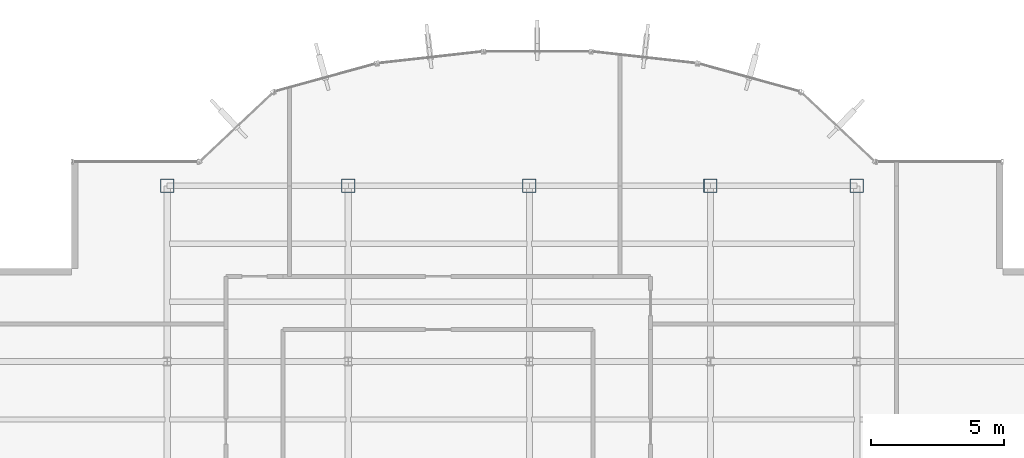
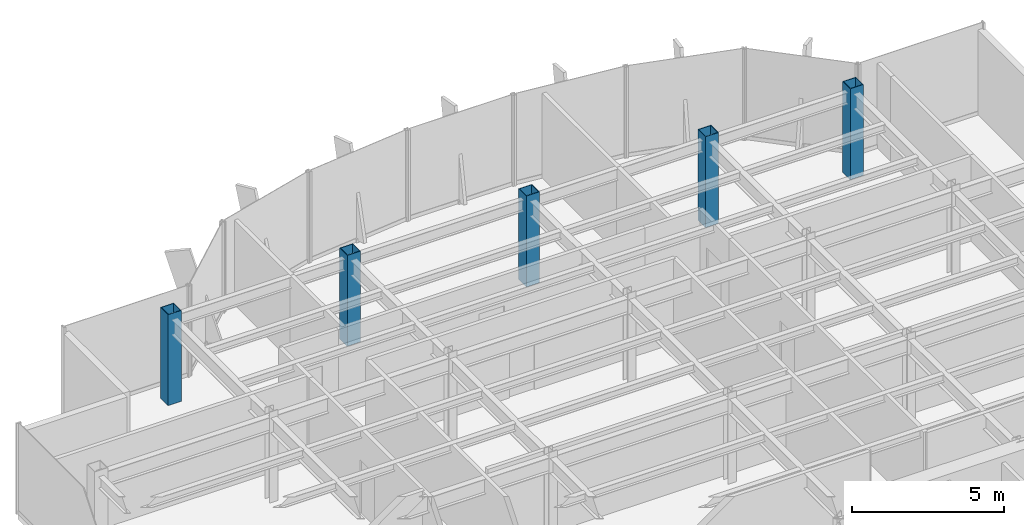
# One storey, part 2 of 22: 5 columns.
"""IFC4 building model written with IfcOpenShell, lengths in metres."""

from ifc_helpers import new_model, si_unit, derived_unit, direction, frame, origin, origin_2d, place, context, subcontext, project, spatial, hollow_rectangle, extrude, source, transform, mapped, material, material_profile, profile_set, type_object, element, save


model = new_model("IFC4")

# Units and contexts
model_context = context("Model", 3, precision=1e-05, world=origin(), true_north=direction((0.0, 1.0)))
body_context = subcontext(model_context, "Body", "Model", "MODEL_VIEW")
ifc_project = project(units=[si_unit("LENGTHUNIT", "METRE"), si_unit("AREAUNIT", "SQUARE_METRE"), si_unit("VOLUMEUNIT", "CUBIC_METRE"), si_unit("PLANEANGLEUNIT", "RADIAN"), si_unit("MASSUNIT", "GRAM", prefix="KILO"), derived_unit("THERMALTRANSMITTANCEUNIT", [(si_unit("POWERUNIT", "WATT"), 1), (si_unit("LENGTHUNIT", "METRE"), -2), (si_unit("THERMODYNAMICTEMPERATUREUNIT", "KELVIN"), -1)])], contexts=[model_context])

# Site, building, storey
site_placement = place(None, origin())
site = spatial("IfcSite", under=ifc_project, at=site_placement, CompositionType="ELEMENT")
building_placement = place(site_placement, origin())
building = spatial("IfcBuilding", under=site, at=building_placement, Name="Skarnbrae Concourse Arena and Tower", CompositionType="ELEMENT")
storey_placement = place(building_placement, frame((0.0, 0.0, 277.050048828125)))
storey = spatial("IfcBuildingStorey", under=building, at=storey_placement, Name="L72", CompositionType="ELEMENT", Elevation=277.050048828125)

# Columns
ifc_material = material(Name="Steel CSA G40.21 350W", Category="steel")
ifc_material_profile = material_profile(ifc_material, hollow_rectangle(XDim=0.5, YDim=0.5, WallThickness=0.02197265625, at=origin_2d()), Name="HSS500X500X22.0")
ifc_profile_set = profile_set([ifc_material_profile], Name="Steel CSA G40.21 350W")
column_type = type_object("IfcColumnType", Name="COL-TUBE-HSS500", PredefinedType="COLUMN", material=ifc_profile_set)
shared_shape = source(origin(), body_context, "Body", "SweptSolid", [
    extrude(hollow_rectangle(XDim=0.5, YDim=0.5, WallThickness=0.02197265625, at=origin_2d()), origin(), (0.0, 0.0, 1.0), 3.64990234375),
])
for number, where, z_axis, x_axis, name in (
    (1, (7.60009765625, 34.39990234375, 0.0), (0.0, 0.0, 1.0), (1.0, 0.0, 0.0), "L72 Tower column PC_02_05"),
    (2, (14.39990234375, 34.39990234375, 0.0), (0.0, 0.0, 1.0), (1.0, 0.0, 0.0), "L72 Tower column PC_03_05"),
    (3, (21.199951171875, 34.39990234375, 0.0), (0.0, 0.0, 1.0), (1.0, 0.0, 0.0), "L72 Tower column PC_04_05"),
    (4, (28.0, 34.39990234375, 0.0), (0.0, 0.0, 1.0), (1.0, 0.0, 0.0), "L72 Tower column PC_05_05"),
    (5, (33.5, 34.39990234375, 0.0), (0.0, 0.0, 1.0), (1.0, 0.0, 0.0), "L72 Tower column PC_06_05"),
):
    element("IfcColumn", number, at=place(storey_placement, frame(where, z_axis=z_axis, x_axis=x_axis)), inside=storey, type_object=column_type, Name=name, PredefinedType="COLUMN", context=body_context, shape_type="MappedRepresentation", body=[
        mapped(shared_shape, transform((0.0, 0.0, 0.0))),
    ])

save(model, "model.ifc")
